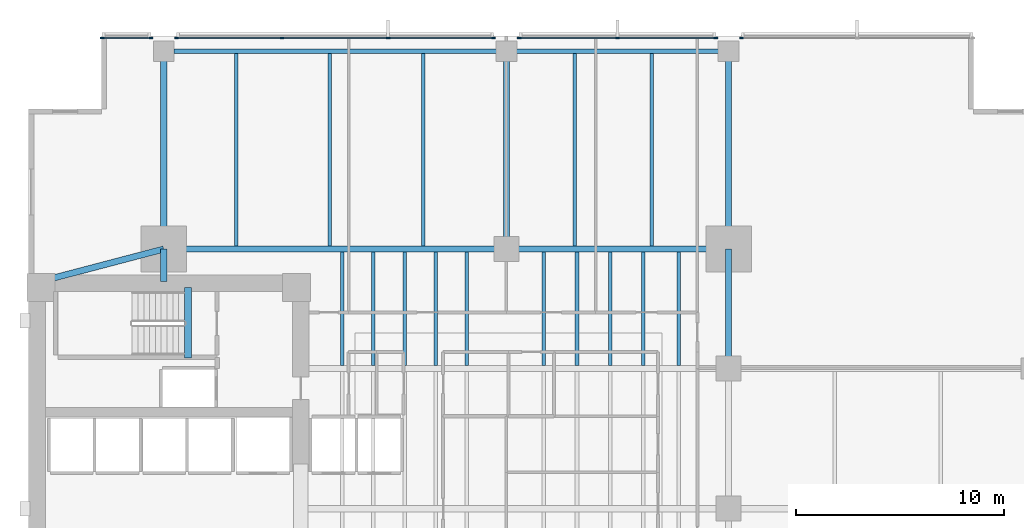
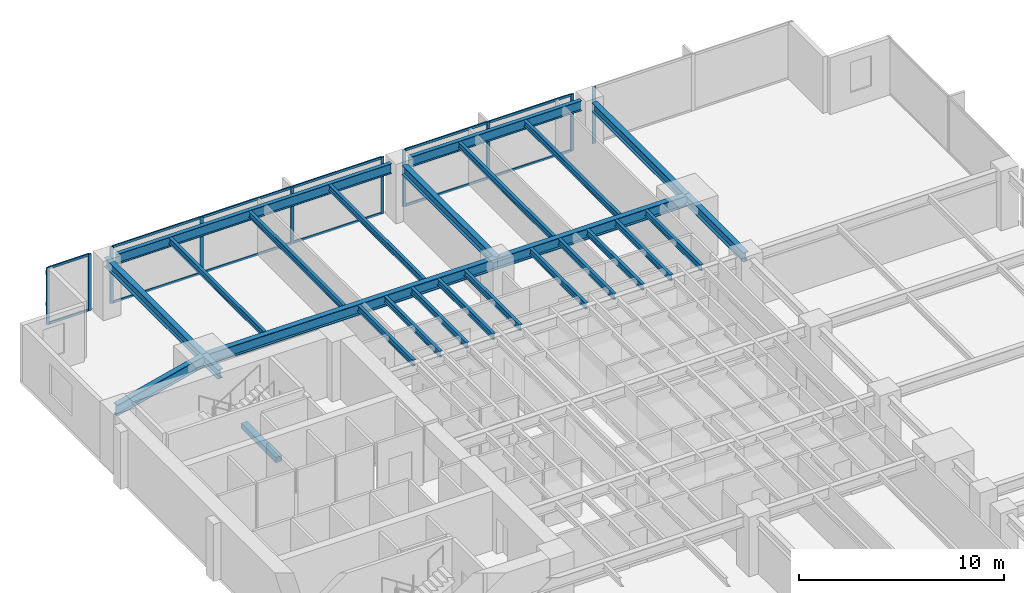
# One storey, part 5 of 15: 26 beams, 22 members, 4 elements without a shape of their own.
"""IFC4 building model written with IfcOpenShell, lengths in metres."""

from ifc_helpers import new_model, si_unit, direction, frame, origin, origin_2d, place, context, subcontext, project, spatial, rectangle, i_section, extrude, material, layer, layer_set, material_profile, profile_set, type_object, element, aggregate, save


model = new_model("IFC4")

# Units and contexts
model_context = context("Model", 3, precision=1e-05, world=origin(), true_north=direction((0.0, 1.0)))
body_context = subcontext(model_context, "Body", "Model", "MODEL_VIEW")
ifc_project = project(units=[si_unit("LENGTHUNIT", "METRE"), si_unit("AREAUNIT", "SQUARE_METRE"), si_unit("VOLUMEUNIT", "CUBIC_METRE"), si_unit("PLANEANGLEUNIT", "RADIAN"), si_unit("MASSUNIT", "GRAM", prefix="KILO")], contexts=[model_context])

# Site, building, storey
site_placement = place(None, origin())
site = spatial("IfcSite", under=ifc_project, at=site_placement, CompositionType="ELEMENT")
building_placement = place(site_placement, origin())
building = spatial("IfcBuilding", under=site, at=building_placement, Name="Kinhvarn Gate Tower", CompositionType="ELEMENT")
storey_placement = place(building_placement, frame((0.0, 0.0, 75.300048828125)))
storey = spatial("IfcBuildingStorey", under=building, at=storey_placement, Name="L19", CompositionType="ELEMENT", Elevation=75.300048828125)

# Beam
ifc_material_1 = material(Name="Concrete C50/60", Category="concrete")
ifc_material_profile_1 = material_profile(ifc_material_1, rectangle(XDim=0.340087890625, YDim=0.320068359375, at=origin_2d()), Name="RC 340x320")
ifc_profile_set_1 = profile_set([ifc_material_profile_1], Name="Concrete C50/60")
beam_type_1 = type_object("IfcBeamType", Name="BM-LND-500", PredefinedType="BEAM", material=ifc_profile_set_1)
beam_1_placement = place(storey_placement, frame((12.1650390625, 32.5, -0.16015625), z_axis=(0.0, 1.0, 0.0), x_axis=(-1.0, 0.0, 0.0)))
element("IfcBeam", 1, at=beam_1_placement, inside=storey, type_object=beam_type_1, Name="Stair ST2 Landing Nosing Beam (L19)", PredefinedType="BEAM", context=body_context, shape_type="SweptSolid", body=[
    extrude(rectangle(XDim=0.340087890625, YDim=0.320068359375, at=origin_2d()), origin(), (0.0, 0.0, 1.0), 3.39990234375),
])

# Curtain wall, member
ifc_material_2 = material(Name="Anodised aluminium AW-6063", Category="aluminium")
ifc_layer = layer(ifc_material_2, 0.179931640625)
ifc_layer_set = layer_set([ifc_layer], Name="Anodised aluminium AW-6063")
curtain_wall_type = type_object("IfcCurtainWallType", Name="CW-SYS-2", PredefinedType="NOTDEFINED", material=ifc_layer_set)
curtain_wall_1_placement = place(storey_placement, origin())
curtain_wall_1 = element("IfcCurtainWall", 2, at=curtain_wall_1_placement, inside=storey, type_object=curtain_wall_type, Name="Curtain Wall CW2 (L19)", PredefinedType="NOTDEFINED")
ifc_material_profile_2 = material_profile(ifc_material_2, rectangle(XDim=0.070068359375, YDim=0.179931640625, at=origin_2d()), Name="ALU 70x180")
ifc_profile_set_2 = profile_set([ifc_material_profile_2], Name="Anodised aluminium AW-6063")
member_type_1 = type_object("IfcMemberType", Name="CW-MUL-180", PredefinedType="MULLION", material=ifc_profile_set_2)
member_1_placement = place(storey_placement, frame((38.81494140625, 47.909912109375, 0.0), z_axis=(0.0, 0.0, 1.0), x_axis=(0.0, -1.0, 0.0)))
member_1 = element("IfcMember", 3, at=member_1_placement, type_object=member_type_1, Name="CW2 mullion 3", PredefinedType="MULLION", context=body_context, shape_type="SweptSolid", body=[
    extrude(rectangle(XDim=0.070068359375, YDim=0.179931640625, at=origin_2d()), origin(), (0.0, 0.0, 1.0), 3.369873046875),
])
aggregate(curtain_wall_1, [member_1])

# Curtain wall, members
curtain_wall_2_placement = place(storey_placement, origin())
curtain_wall_2 = element("IfcCurtainWall", 4, at=curtain_wall_2_placement, inside=storey, type_object=curtain_wall_type, Name="Curtain Wall CW2 (L19)", PredefinedType="NOTDEFINED")
member_2_placement = place(storey_placement, frame((37.5849609375, 47.909912109375, 0.0), z_axis=(0.0, 0.0, 1.0), x_axis=(0.0, -1.0, 0.0)))
member_2 = element("IfcMember", 5, at=member_2_placement, type_object=member_type_1, Name="CW2 mullion 1", PredefinedType="MULLION", context=body_context, shape_type="SweptSolid", body=[
    extrude(rectangle(XDim=0.070068359375, YDim=0.179931640625, at=origin_2d()), origin(), (0.0, 0.0, 1.0), 3.369873046875),
])
member_3_placement = place(storey_placement, frame((32.85009765625, 47.909912109375, 0.0), z_axis=(0.0, 0.0, 1.0), x_axis=(0.0, -1.0, 0.0)))
member_3 = element("IfcMember", 6, at=member_3_placement, type_object=member_type_1, Name="CW2 mullion 2", PredefinedType="MULLION", context=body_context, shape_type="SweptSolid", body=[
    extrude(rectangle(XDim=0.070068359375, YDim=0.179931640625, at=origin_2d()), origin(), (0.0, 0.0, 1.0), 3.369873046875),
])
member_4_placement = place(storey_placement, frame((28.114990234375, 47.909912109375, 0.0), z_axis=(0.0, 0.0, 1.0), x_axis=(0.0, -1.0, 0.0)))
member_4 = element("IfcMember", 7, at=member_4_placement, type_object=member_type_1, Name="CW2 mullion 3", PredefinedType="MULLION", context=body_context, shape_type="SweptSolid", body=[
    extrude(rectangle(XDim=0.070068359375, YDim=0.179931640625, at=origin_2d()), origin(), (0.0, 0.0, 1.0), 3.369873046875),
])

curtain_wall_3_placement = place(storey_placement, origin())
curtain_wall_3 = element("IfcCurtainWall", 8, at=curtain_wall_3_placement, inside=storey, type_object=curtain_wall_type, Name="Curtain Wall CW2 (L19)", PredefinedType="NOTDEFINED")
member_5_placement = place(storey_placement, frame((26.885009765625, 47.909912109375, 0.0), z_axis=(0.0, 0.0, 1.0), x_axis=(0.0, -1.0, 0.0)))
member_5 = element("IfcMember", 9, at=member_5_placement, type_object=member_type_1, Name="CW2 mullion 1", PredefinedType="MULLION", context=body_context, shape_type="SweptSolid", body=[
    extrude(rectangle(XDim=0.070068359375, YDim=0.179931640625, at=origin_2d()), origin(), (0.0, 0.0, 1.0), 3.369873046875),
])
member_6_placement = place(storey_placement, frame((21.806640625, 47.909912109375, 0.0), z_axis=(0.0, 0.0, 1.0), x_axis=(0.0, -1.0, 0.0)))
member_6 = element("IfcMember", 10, at=member_6_placement, type_object=member_type_1, Name="CW2 mullion 2", PredefinedType="MULLION", context=body_context, shape_type="SweptSolid", body=[
    extrude(rectangle(XDim=0.070068359375, YDim=0.179931640625, at=origin_2d()), origin(), (0.0, 0.0, 1.0), 3.369873046875),
])
member_7_placement = place(storey_placement, frame((16.693359375, 47.909912109375, 0.0), z_axis=(0.0, 0.0, 1.0), x_axis=(0.0, -1.0, 0.0)))
member_7 = element("IfcMember", 11, at=member_7_placement, type_object=member_type_1, Name="CW2 mullion 3", PredefinedType="MULLION", context=body_context, shape_type="SweptSolid", body=[
    extrude(rectangle(XDim=0.070068359375, YDim=0.179931640625, at=origin_2d()), origin(), (0.0, 0.0, 1.0), 3.369873046875),
])
member_8_placement = place(storey_placement, frame((11.614990234375, 47.909912109375, 0.0), z_axis=(0.0, 0.0, 1.0), x_axis=(0.0, -1.0, 0.0)))
member_8 = element("IfcMember", 12, at=member_8_placement, type_object=member_type_1, Name="CW2 mullion 4", PredefinedType="MULLION", context=body_context, shape_type="SweptSolid", body=[
    extrude(rectangle(XDim=0.070068359375, YDim=0.179931640625, at=origin_2d()), origin(), (0.0, 0.0, 1.0), 3.369873046875),
])

curtain_wall_4_placement = place(storey_placement, origin())
curtain_wall_4 = element("IfcCurtainWall", 13, at=curtain_wall_4_placement, inside=storey, type_object=curtain_wall_type, Name="Curtain Wall CW2 (L19)", PredefinedType="NOTDEFINED")
member_9_placement = place(storey_placement, frame((10.385009765625, 47.909912109375, 0.0), z_axis=(0.0, 0.0, 1.0), x_axis=(0.0, -1.0, 0.0)))
member_9 = element("IfcMember", 14, at=member_9_placement, type_object=member_type_1, Name="CW2 mullion 1", PredefinedType="MULLION", context=body_context, shape_type="SweptSolid", body=[
    extrude(rectangle(XDim=0.070068359375, YDim=0.179931640625, at=origin_2d()), origin(), (0.0, 0.0, 1.0), 3.369873046875),
])
member_10_placement = place(storey_placement, frame((8.034912109375, 47.909912109375, 0.0), z_axis=(0.0, 0.0, 1.0), x_axis=(0.0, -1.0, 0.0)))
member_10 = element("IfcMember", 15, at=member_10_placement, type_object=member_type_1, Name="CW2 mullion 2", PredefinedType="MULLION", context=body_context, shape_type="SweptSolid", body=[
    extrude(rectangle(XDim=0.070068359375, YDim=0.179931640625, at=origin_2d()), origin(), (0.0, 0.0, 1.0), 3.369873046875),
])

# Member
ifc_material_profile_3 = material_profile(ifc_material_2, rectangle(XDim=0.070068359375, YDim=0.139892578125, at=origin_2d()), Name="ALU 70x140")
ifc_profile_set_3 = profile_set([ifc_material_profile_3], Name="Anodised aluminium AW-6063")
member_type_2 = type_object("IfcMemberType", Name="CW-TRN-140", PredefinedType="USERDEFINED", material=ifc_profile_set_3)
member_11_placement = place(storey_placement, frame((37.550048828125, 47.909912109375, 0.034912109375), z_axis=(-1.0, 0.0, 0.0), x_axis=(0.0, -1.0, 0.0)))
member_11 = element("IfcMember", 16, at=member_11_placement, type_object=member_type_2, Name="CW2 transom 1.1", ObjectType="TRANSOM", PredefinedType="USERDEFINED", context=body_context, shape_type="SweptSolid", body=[
    extrude(rectangle(XDim=0.070068359375, YDim=0.139892578125, at=origin_2d()), origin(), (0.0, 0.0, 1.0), 4.6650390625),
])

member_12_placement = place(storey_placement, frame((37.550048828125, 47.909912109375, 3.3349609375), z_axis=(-1.0, 0.0, 0.0), x_axis=(0.0, -1.0, 0.0)))
member_12 = element("IfcMember", 17, at=member_12_placement, type_object=member_type_2, Name="CW2 transom 1.2", ObjectType="TRANSOM", PredefinedType="USERDEFINED", context=body_context, shape_type="SweptSolid", body=[
    extrude(rectangle(XDim=0.070068359375, YDim=0.139892578125, at=origin_2d()), origin(), (0.0, 0.0, 1.0), 4.6650390625),
])

member_13_placement = place(storey_placement, frame((32.81494140625, 47.909912109375, 0.034912109375), z_axis=(-1.0, 0.0, 0.0), x_axis=(0.0, -1.0, 0.0)))
member_13 = element("IfcMember", 18, at=member_13_placement, type_object=member_type_2, Name="CW2 transom 2.1", ObjectType="TRANSOM", PredefinedType="USERDEFINED", context=body_context, shape_type="SweptSolid", body=[
    extrude(rectangle(XDim=0.070068359375, YDim=0.139892578125, at=origin_2d()), origin(), (0.0, 0.0, 1.0), 4.6650390625),
])

member_14_placement = place(storey_placement, frame((32.81494140625, 47.909912109375, 3.3349609375), z_axis=(-1.0, 0.0, 0.0), x_axis=(0.0, -1.0, 0.0)))
member_14 = element("IfcMember", 19, at=member_14_placement, type_object=member_type_2, Name="CW2 transom 2.2", ObjectType="TRANSOM", PredefinedType="USERDEFINED", context=body_context, shape_type="SweptSolid", body=[
    extrude(rectangle(XDim=0.070068359375, YDim=0.139892578125, at=origin_2d()), origin(), (0.0, 0.0, 1.0), 4.6650390625),
])

aggregate(curtain_wall_2, [member_2, member_3, member_4, member_11, member_12, member_13, member_14])

member_15_placement = place(storey_placement, frame((26.85009765625, 47.909912109375, 0.034912109375), z_axis=(-1.0, 0.0, 0.0), x_axis=(0.0, -1.0, 0.0)))
member_15 = element("IfcMember", 20, at=member_15_placement, type_object=member_type_2, Name="CW2 transom 1.1", ObjectType="TRANSOM", PredefinedType="USERDEFINED", context=body_context, shape_type="SweptSolid", body=[
    extrude(rectangle(XDim=0.070068359375, YDim=0.139892578125, at=origin_2d()), origin(), (0.0, 0.0, 1.0), 5.008544921875),
])

member_16_placement = place(storey_placement, frame((26.85009765625, 47.909912109375, 3.3349609375), z_axis=(-1.0, 0.0, 0.0), x_axis=(0.0, -1.0, 0.0)))
member_16 = element("IfcMember", 21, at=member_16_placement, type_object=member_type_2, Name="CW2 transom 1.2", ObjectType="TRANSOM", PredefinedType="USERDEFINED", context=body_context, shape_type="SweptSolid", body=[
    extrude(rectangle(XDim=0.070068359375, YDim=0.139892578125, at=origin_2d()), origin(), (0.0, 0.0, 1.0), 5.008544921875),
])

member_17_placement = place(storey_placement, frame((21.771728515625, 47.909912109375, 0.034912109375), z_axis=(-1.0, 0.0, 0.0), x_axis=(0.0, -1.0, 0.0)))
member_17 = element("IfcMember", 22, at=member_17_placement, type_object=member_type_2, Name="CW2 transom 2.1", ObjectType="TRANSOM", PredefinedType="USERDEFINED", context=body_context, shape_type="SweptSolid", body=[
    extrude(rectangle(XDim=0.070068359375, YDim=0.139892578125, at=origin_2d()), origin(), (0.0, 0.0, 1.0), 5.04345703125),
])

member_18_placement = place(storey_placement, frame((21.771728515625, 47.909912109375, 3.3349609375), z_axis=(-1.0, 0.0, 0.0), x_axis=(0.0, -1.0, 0.0)))
member_18 = element("IfcMember", 23, at=member_18_placement, type_object=member_type_2, Name="CW2 transom 2.2", ObjectType="TRANSOM", PredefinedType="USERDEFINED", context=body_context, shape_type="SweptSolid", body=[
    extrude(rectangle(XDim=0.070068359375, YDim=0.139892578125, at=origin_2d()), origin(), (0.0, 0.0, 1.0), 5.04345703125),
])

member_19_placement = place(storey_placement, frame((16.658447265625, 47.909912109375, 0.034912109375), z_axis=(-1.0, 0.0, 0.0), x_axis=(0.0, -1.0, 0.0)))
member_19 = element("IfcMember", 24, at=member_19_placement, type_object=member_type_2, Name="CW2 transom 3.1", ObjectType="TRANSOM", PredefinedType="USERDEFINED", context=body_context, shape_type="SweptSolid", body=[
    extrude(rectangle(XDim=0.070068359375, YDim=0.139892578125, at=origin_2d()), origin(), (0.0, 0.0, 1.0), 5.008544921875),
])

member_20_placement = place(storey_placement, frame((16.658447265625, 47.909912109375, 3.3349609375), z_axis=(-1.0, 0.0, 0.0), x_axis=(0.0, -1.0, 0.0)))
member_20 = element("IfcMember", 25, at=member_20_placement, type_object=member_type_2, Name="CW2 transom 3.2", ObjectType="TRANSOM", PredefinedType="USERDEFINED", context=body_context, shape_type="SweptSolid", body=[
    extrude(rectangle(XDim=0.070068359375, YDim=0.139892578125, at=origin_2d()), origin(), (0.0, 0.0, 1.0), 5.008544921875),
])

aggregate(curtain_wall_3, [member_5, member_6, member_7, member_8, member_15, member_16, member_17, member_18, member_19, member_20])

member_21_placement = place(storey_placement, frame((10.35009765625, 47.909912109375, 0.034912109375), z_axis=(-1.0, 0.0, 0.0), x_axis=(0.0, -1.0, 0.0)))
member_21 = element("IfcMember", 26, at=member_21_placement, type_object=member_type_2, Name="CW2 transom 1.1", ObjectType="TRANSOM", PredefinedType="USERDEFINED", context=body_context, shape_type="SweptSolid", body=[
    extrude(rectangle(XDim=0.070068359375, YDim=0.139892578125, at=origin_2d()), origin(), (0.0, 0.0, 1.0), 2.280029296875),
])

member_22_placement = place(storey_placement, frame((10.35009765625, 47.909912109375, 3.3349609375), z_axis=(-1.0, 0.0, 0.0), x_axis=(0.0, -1.0, 0.0)))
member_22 = element("IfcMember", 27, at=member_22_placement, type_object=member_type_2, Name="CW2 transom 1.2", ObjectType="TRANSOM", PredefinedType="USERDEFINED", context=body_context, shape_type="SweptSolid", body=[
    extrude(rectangle(XDim=0.070068359375, YDim=0.139892578125, at=origin_2d()), origin(), (0.0, 0.0, 1.0), 2.280029296875),
])

aggregate(curtain_wall_4, [member_9, member_10, member_21, member_22])

# Beams
ifc_material_3 = material(Name="Steel S355", Category="steel")
ifc_material_profile_4 = material_profile(ifc_material_3, i_section(OverallWidth=0.300048828125, OverallDepth=0.550048828125, WebThickness=0.014892578125, FlangeThickness=0.029052734375, at=origin_2d()), Name="HEB 550")
ifc_profile_set_4 = profile_set([ifc_material_profile_4], Name="Steel S355")
beam_type_2 = type_object("IfcBeamType", Name="STL-HEB550", PredefinedType="BEAM", material=ifc_profile_set_4)
beam_2_placement = place(storey_placement, frame((11.0, 36.199951171875, 3.094970703125), z_axis=(0.0, 1.0, 0.0), x_axis=(-1.0, 0.0, 0.0)))
element("IfcBeam", 28, at=beam_2_placement, inside=storey, type_object=beam_type_2, Name="Floor Beam PG-15 (L19 MCW-CN)", PredefinedType="BEAM", context=body_context, shape_type="SweptSolid", body=[
    extrude(i_section(OverallWidth=0.300048828125, OverallDepth=0.550048828125, WebThickness=0.014892578125, FlangeThickness=0.029052734375, at=origin_2d()), origin(), (0.0, 0.0, 1.0), 1.550048828125),
])
beam_3_placement = place(storey_placement, frame((11.0, 37.75, 3.094970703125), z_axis=(0.0, 1.0, 0.0), x_axis=(-1.0, 0.0, 0.0)))
element("IfcBeam", 29, at=beam_3_placement, inside=storey, type_object=beam_type_2, Name="Floor Beam PG-15 (L19 MCW-N)", PredefinedType="BEAM", context=body_context, shape_type="SweptSolid", body=[
    extrude(i_section(OverallWidth=0.300048828125, OverallDepth=0.550048828125, WebThickness=0.014892578125, FlangeThickness=0.029052734375, at=origin_2d()), origin(), (0.0, 0.0, 1.0), 9.530029296875),
])
for number, where, z_axis, x_axis, name in (
    (30, (27.5, 37.75, 3.094970703125), (0.0, 1.0, 0.0), (-1.0, 0.0, 0.0), "Floor Beam PG-15 (L19 SP27-N-TIE)"),
    (31, (38.199951171875, 37.75, 3.094970703125), (0.0, 1.0, 0.0), (-1.0, 0.0, 0.0), "Floor Beam PG-15 (L19 MCE-N)"),
):
    element("IfcBeam", number, at=place(storey_placement, frame(where, z_axis=z_axis, x_axis=x_axis)), inside=storey, type_object=beam_type_2, Name=name, PredefinedType="BEAM", context=body_context, shape_type="SweptSolid", body=[
        extrude(i_section(OverallWidth=0.300048828125, OverallDepth=0.550048828125, WebThickness=0.014892578125, FlangeThickness=0.029052734375, at=origin_2d()), origin(), (0.0, 0.0, 1.0), 9.044921875),
    ])
beam_4_placement = place(storey_placement, frame((38.199951171875, 32.0, 3.094970703125), z_axis=(0.0, 1.0, 0.0), x_axis=(-1.0, 0.0, 0.0)))
element("IfcBeam", 32, at=beam_4_placement, inside=storey, type_object=beam_type_2, Name="Floor Beam PG-15 (L19 MG-E-32)", PredefinedType="BEAM", context=body_context, shape_type="SweptSolid", body=[
    extrude(i_section(OverallWidth=0.300048828125, OverallDepth=0.550048828125, WebThickness=0.014892578125, FlangeThickness=0.029052734375, at=origin_2d()), origin(), (0.0, 0.0, 1.0), 5.75),
])
ifc_material_profile_5 = material_profile(ifc_material_3, i_section(OverallWidth=0.300048828125, OverallDepth=0.64990234375, WebThickness=0.01611328125, FlangeThickness=0.031005859375, at=origin_2d()), Name="HEB 650")
ifc_profile_set_5 = profile_set([ifc_material_profile_5], Name="Steel S355")
beam_type_3 = type_object("IfcBeamType", Name="STL-HEB650", PredefinedType="BEAM", material=ifc_profile_set_5)
beam_5_placement = place(storey_placement, frame((11.0, 37.75, 3.044921875), z_axis=(1.0, 0.0, 0.0), x_axis=(0.0, 1.0, 0.0)))
element("IfcBeam", 33, at=beam_5_placement, inside=storey, type_object=beam_type_3, Name="Floor Beam PG-17 (L19 MG-N1)", PredefinedType="BEAM", context=body_context, shape_type="SweptSolid", body=[
    extrude(i_section(OverallWidth=0.300048828125, OverallDepth=0.64990234375, WebThickness=0.01611328125, FlangeThickness=0.031005859375, at=origin_2d()), origin(), (0.0, 0.0, 1.0), 16.5),
])
beam_6_placement = place(storey_placement, frame((27.5, 37.75, 3.044921875), z_axis=(1.0, 0.0, 0.0), x_axis=(0.0, 1.0, 0.0)))
element("IfcBeam", 34, at=beam_6_placement, inside=storey, type_object=beam_type_3, Name="Floor Beam PG-17 (L19 MG-N2)", PredefinedType="BEAM", context=body_context, shape_type="SweptSolid", body=[
    extrude(i_section(OverallWidth=0.300048828125, OverallDepth=0.64990234375, WebThickness=0.01611328125, FlangeThickness=0.031005859375, at=origin_2d()), origin(), (0.0, 0.0, 1.0), 10.699951171875),
])
beam_7_placement = place(storey_placement, frame((5.10009765625, 36.199951171875, 3.044921875), z_axis=(0.967177623957, 0.254101246979, 0.0), x_axis=(-0.254101246979, 0.967177623957, 0.0)))
element("IfcBeam", 35, at=beam_7_placement, inside=storey, type_object=beam_type_3, Name="Floor Beam PG-17 (L19 MG-NW-DIAG)", PredefinedType="BEAM", context=body_context, shape_type="SweptSolid", body=[
    extrude(i_section(OverallWidth=0.300048828125, OverallDepth=0.64990234375, WebThickness=0.01611328125, FlangeThickness=0.031005859375, at=origin_2d()), origin(), (0.0, 0.0, 1.0), 6.10009765625),
])
ifc_material_profile_6 = material_profile(ifc_material_3, i_section(OverallWidth=0.169921875, OverallDepth=0.360107421875, WebThickness=0.008056640625, FlangeThickness=0.0126953125, at=origin_2d()), Name="IPE 360")
ifc_profile_set_6 = profile_set([ifc_material_profile_6], Name="Steel S355")
beam_type_4 = type_object("IfcBeamType", Name="STL-IPE360", PredefinedType="JOIST", material=ifc_profile_set_6)
for number, where, z_axis, x_axis, name in (
    (36, (19.60009765625, 32.14990234375, 3.18994140625), (0.0, 1.0, 0.0), (-1.0, 0.0, 0.0), "Floor Joist SB-04 (L19 JC-X196-3)"),
    (37, (21.10009765625, 32.14990234375, 3.18994140625), (0.0, 1.0, 0.0), (-1.0, 0.0, 0.0), "Floor Joist SB-04 (L19 JC-X211-3)"),
    (38, (22.60009765625, 32.14990234375, 3.18994140625), (0.0, 1.0, 0.0), (-1.0, 0.0, 0.0), "Floor Joist SB-04 (L19 JC-X226-3)"),
    (39, (24.10009765625, 32.14990234375, 3.18994140625), (0.0, 1.0, 0.0), (-1.0, 0.0, 0.0), "Floor Joist SB-04 (L19 JC-X241-3)"),
    (40, (25.60009765625, 32.14990234375, 3.18994140625), (0.0, 1.0, 0.0), (-1.0, 0.0, 0.0), "Floor Joist SB-04 (L19 JC-X256-3)"),
    (41, (29.300048828125, 32.14990234375, 3.18994140625), (0.0, 1.0, 0.0), (-1.0, 0.0, 0.0), "Floor Joist SB-04 (L19 JC-X293-3)"),
    (42, (30.89990234375, 32.14990234375, 3.18994140625), (0.0, 1.0, 0.0), (-1.0, 0.0, 0.0), "Floor Joist SB-04 (L19 JC-X309-3)"),
    (43, (32.5, 32.14990234375, 3.18994140625), (0.0, 1.0, 0.0), (-1.0, 0.0, 0.0), "Floor Joist SB-04 (L19 JC-X325-3)"),
    (44, (34.10009765625, 32.14990234375, 3.18994140625), (0.0, 1.0, 0.0), (-1.0, 0.0, 0.0), "Floor Joist SB-04 (L19 JC-X341-3)"),
    (45, (35.800048828125, 32.14990234375, 3.18994140625), (0.0, 1.0, 0.0), (-1.0, 0.0, 0.0), "Floor Joist SB-04 (L19 JC-X358-3)"),
):
    element("IfcBeam", number, at=place(storey_placement, frame(where, z_axis=z_axis, x_axis=x_axis)), inside=storey, type_object=beam_type_4, Name=name, PredefinedType="JOIST", context=body_context, shape_type="SweptSolid", body=[
        extrude(i_section(OverallWidth=0.169921875, OverallDepth=0.360107421875, WebThickness=0.008056640625, FlangeThickness=0.0126953125, at=origin_2d()), origin(), (0.0, 0.0, 1.0), 5.4501953125),
    ])
for number, where, z_axis, x_axis, name in (
    (46, (14.5, 37.89990234375, 3.18994140625), (0.0, 1.0, 0.0), (-1.0, 0.0, 0.0), "Floor Joist SB-04 (L19 JN-X145)"),
    (47, (19.0, 37.89990234375, 3.18994140625), (0.0, 1.0, 0.0), (-1.0, 0.0, 0.0), "Floor Joist SB-04 (L19 JN-X190)"),
    (48, (23.5, 37.89990234375, 3.18994140625), (0.0, 1.0, 0.0), (-1.0, 0.0, 0.0), "Floor Joist SB-04 (L19 JN-X235)"),
    (49, (30.800048828125, 37.89990234375, 3.18994140625), (0.0, 1.0, 0.0), (-1.0, 0.0, 0.0), "Floor Joist SB-04 (L19 JN-X308)"),
    (50, (34.5, 37.89990234375, 3.18994140625), (0.0, 1.0, 0.0), (-1.0, 0.0, 0.0), "Floor Joist SB-04 (L19 JN-X345)"),
):
    element("IfcBeam", number, at=place(storey_placement, frame(where, z_axis=z_axis, x_axis=x_axis)), inside=storey, type_object=beam_type_4, Name=name, PredefinedType="JOIST", context=body_context, shape_type="SweptSolid", body=[
        extrude(i_section(OverallWidth=0.169921875, OverallDepth=0.360107421875, WebThickness=0.008056640625, FlangeThickness=0.0126953125, at=origin_2d()), origin(), (0.0, 0.0, 1.0), 9.27001953125),
    ])
ifc_material_profile_7 = material_profile(ifc_material_3, i_section(OverallWidth=0.219970703125, OverallDepth=0.60009765625, WebThickness=0.011962890625, FlangeThickness=0.01904296875, at=origin_2d()), Name="IPE 600")
ifc_profile_set_7 = profile_set([ifc_material_profile_7], Name="Steel S355")
beam_type_5 = type_object("IfcBeamType", Name="STL-IPE600", PredefinedType="SPANDREL", material=ifc_profile_set_7)
beam_8_placement = place(storey_placement, frame((11.485107421875, 47.280029296875, 3.070068359375), z_axis=(1.0, 0.0, 0.0), x_axis=(0.0, 1.0, 0.0)))
element("IfcBeam", 51, at=beam_8_placement, inside=storey, type_object=beam_type_5, Name="Floor Spandrel SB-09 (L19 SP-N1)", PredefinedType="SPANDREL", context=body_context, shape_type="SweptSolid", body=[
    extrude(i_section(OverallWidth=0.219970703125, OverallDepth=0.60009765625, WebThickness=0.011962890625, FlangeThickness=0.01904296875, at=origin_2d()), origin(), (0.0, 0.0, 1.0), 15.52978515625),
])
beam_9_placement = place(storey_placement, frame((27.985107421875, 47.280029296875, 3.070068359375), z_axis=(1.0, 0.0, 0.0), x_axis=(0.0, 1.0, 0.0)))
element("IfcBeam", 52, at=beam_9_placement, inside=storey, type_object=beam_type_5, Name="Floor Spandrel SB-09 (L19 SP-N2)", PredefinedType="SPANDREL", context=body_context, shape_type="SweptSolid", body=[
    extrude(i_section(OverallWidth=0.219970703125, OverallDepth=0.60009765625, WebThickness=0.011962890625, FlangeThickness=0.01904296875, at=origin_2d()), origin(), (0.0, 0.0, 1.0), 9.72998046875),
])

save(model, "model.ifc")
